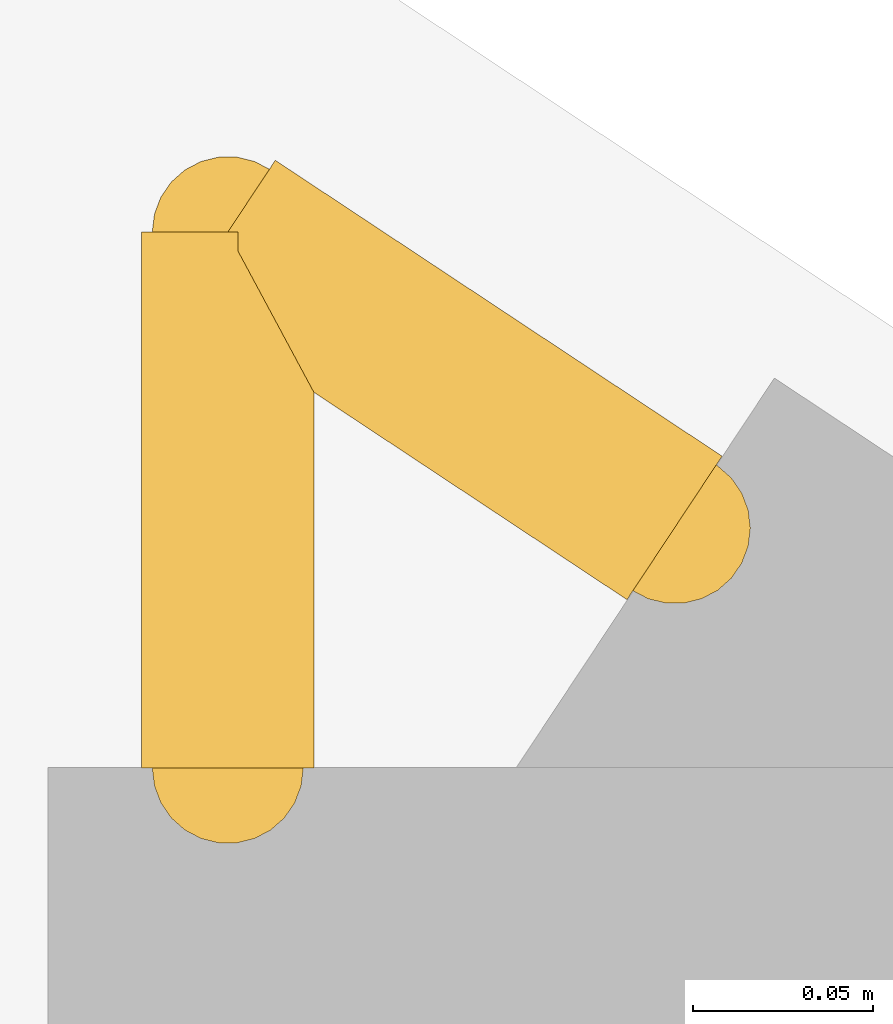
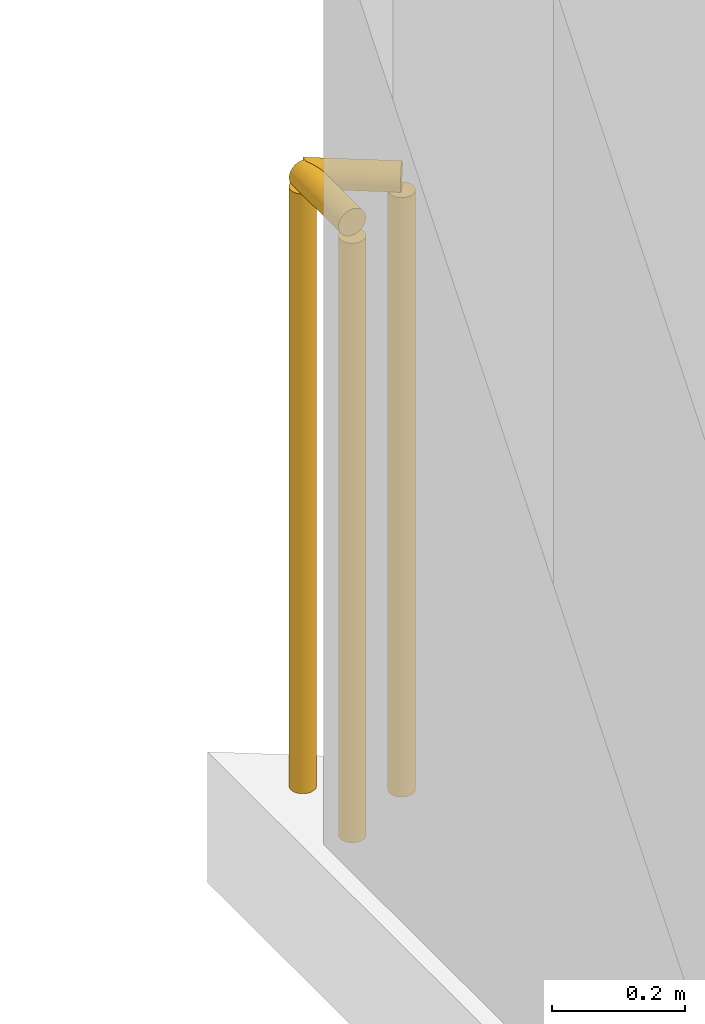
# One storey, part 16 of 17: 2 railings.
"""IFC4 building model written with IfcOpenShell, lengths in metres."""

from ifc_helpers import new_model, si_unit, direction, frame, origin, origin_2d, place, context, subcontext, project, spatial, circle, extrude, material, type_object, element, save


model = new_model("IFC4")

# Units and contexts
model_context = context("Model", 3, precision=1e-05, world=origin(), true_north=direction((0.0, 1.0)))
body_context = subcontext(model_context, "Body", "Model", "MODEL_VIEW")
ifc_project = project(units=[si_unit("LENGTHUNIT", "METRE"), si_unit("AREAUNIT", "SQUARE_METRE"), si_unit("VOLUMEUNIT", "CUBIC_METRE"), si_unit("PLANEANGLEUNIT", "RADIAN"), si_unit("MASSUNIT", "GRAM", prefix="KILO")], contexts=[model_context])

# Site, building, storey
site_placement = place(None, origin())
site = spatial("IfcSite", under=ifc_project, at=site_placement, CompositionType="ELEMENT")
building_placement = place(site_placement, origin())
building = spatial("IfcBuilding", under=site, at=building_placement, Name="Varnakote Quay Hospital", CompositionType="ELEMENT")
storey_placement = place(building_placement, frame((0.0, 0.0, 111.25)))
storey = spatial("IfcBuildingStorey", under=building, at=storey_placement, Name="L27", CompositionType="ELEMENT", Elevation=111.25)

# Railings
ifc_material = material(Name="Anodised aluminium 6063-T6 Bronze", Category="aluminium")
railing_type = type_object("IfcRailingType", Name="RLG-EXT-GUARD-1150", PredefinedType="GUARDRAIL", material=ifc_material)
railing_1_placement = place(storey_placement, frame((2.679931640625, 43.10205078125, 0.0)))
element("IfcRailing", 1, at=railing_1_placement, inside=storey, type_object=railing_type, Name="L27 Slab Edge Perimeter Safety Guard", PredefinedType="GUARDRAIL", context=body_context, shape_type="SweptSolid", body=[
    extrude(circle(Radius=0.02392578125, at=origin_2d()), frame((0.0, 0.0, 1.1259765625), z_axis=(0.0, 1.0, 0.0), x_axis=(-1.0, 0.0, 0.0)), (0.0, 0.0, 1.0), 0.14892578125),
    extrude(circle(Radius=0.02099609375, at=origin_2d()), origin(), (0.0, 0.0, 1.0), 1.101806640625),
    extrude(circle(Radius=0.02099609375, at=origin_2d()), frame((0.0, 0.14892578125, 0.0)), (0.0, 0.0, 1.0), 1.101806640625),
])
railing_2_placement = place(storey_placement, frame((2.679931640625, 43.2509765625, 0.0)))
element("IfcRailing", 2, at=railing_2_placement, inside=storey, type_object=railing_type, Name="L27 Slab Edge Perimeter Safety Guard", PredefinedType="GUARDRAIL", context=body_context, shape_type="SweptSolid", body=[
    extrude(circle(Radius=0.02392578125, at=origin_2d()), frame((0.0, 0.0, 1.1259765625), z_axis=(0.833810230731, -0.552051174374, 0.0), x_axis=(0.552051174374, 0.833810230731, 0.0)), (0.0, 0.0, 1.0), 0.14892578125),
    extrude(circle(Radius=0.02099609375, at=origin_2d()), origin(), (0.0, 0.0, 1.0), 1.101806640625),
    extrude(circle(Radius=0.02099609375, at=origin_2d()), frame((0.124267578125, -0.082275390625, 0.0)), (0.0, 0.0, 1.0), 1.101806640625),
])

save(model, "model.ifc")
